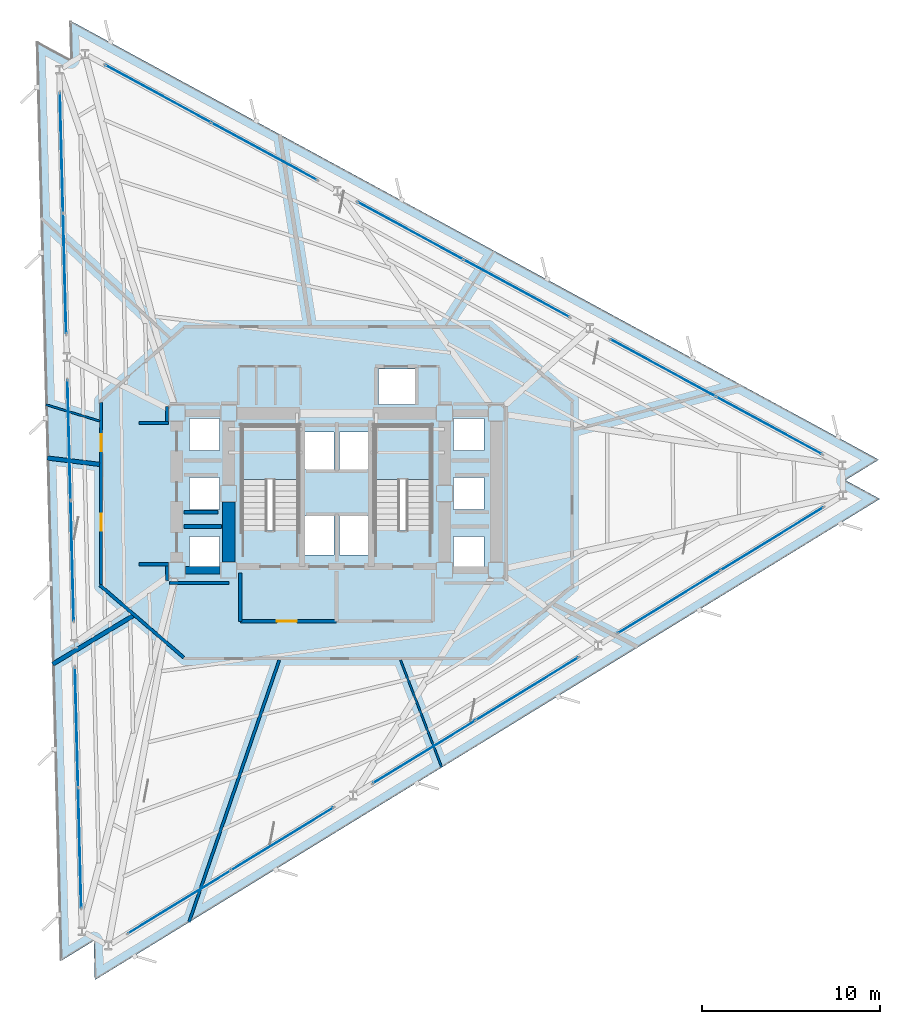
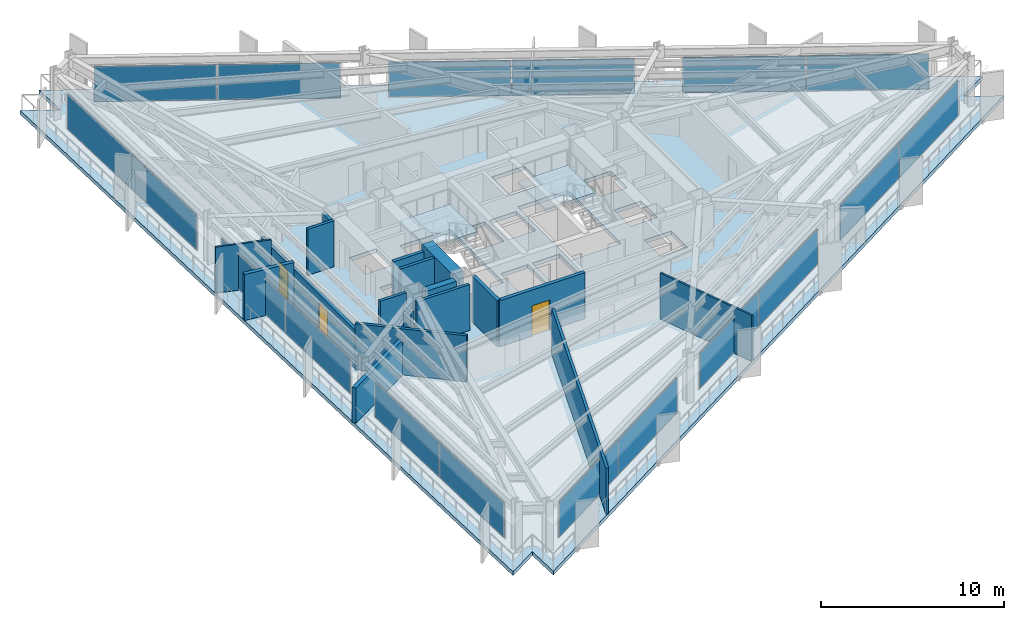
# One storey, part 7 of 14: 18 plates, 18 walls, 3 doors, 3 slabs, 3 openings, 11 elements without a shape of their own.
"""IFC4 building model written with IfcOpenShell, lengths in metres."""

from ifc_helpers import new_model, si_unit, direction, frame, frame_2d, origin, origin_2d, place, context, subcontext, project, spatial, polyline, rectangle, outline, extrude, material, layer, layer_set, type_object, element, fill, aggregate, save


model = new_model("IFC4")

# Units and contexts
model_context = context("Model", 3, precision=1e-05, world=origin(), true_north=direction((0.0, 1.0)))
body_context = subcontext(model_context, "Body", "Model", "MODEL_VIEW")
ifc_project = project(units=[si_unit("LENGTHUNIT", "METRE"), si_unit("AREAUNIT", "SQUARE_METRE"), si_unit("VOLUMEUNIT", "CUBIC_METRE"), si_unit("PLANEANGLEUNIT", "RADIAN"), si_unit("MASSUNIT", "GRAM", prefix="KILO")], contexts=[model_context])

# Site, building, storey
site_placement = place(None, origin())
site = spatial("IfcSite", under=ifc_project, at=site_placement, CompositionType="ELEMENT")
building_placement = place(site_placement, origin())
building = spatial("IfcBuilding", under=site, at=building_placement, Name="Rocaltana Carrier Exchange", CompositionType="ELEMENT")
storey_placement = place(building_placement, frame((0.0, 0.0, 28.9599609375)))
storey = spatial("IfcBuildingStorey", under=building, at=storey_placement, Name="L09", CompositionType="ELEMENT", Elevation=28.9599609375)

# Curtain wall, plates
ifc_material_1 = material(Name="Aluminium 6063-T6", Category="aluminium")
ifc_layer_1 = layer(ifc_material_1, 0.179931640625)
ifc_layer_set_1 = layer_set([ifc_layer_1], Name="Aluminium 6063-T6")
curtain_wall_type = type_object("IfcCurtainWallType", Name="Sandstone Spandrel Unitised Curtain Wall CW-01", PredefinedType="NOTDEFINED", material=ifc_layer_set_1)
curtain_wall_1_placement = place(storey_placement, origin())
curtain_wall_1 = element("IfcCurtainWall", 1, at=curtain_wall_1_placement, inside=storey, type_object=curtain_wall_type, Name="L09 CW-01 Run CW-L09-F1S1", PredefinedType="NOTDEFINED")
ifc_material_2 = material(Name="Tempered Laminated Glass", Category="glass")
ifc_layer_2 = layer(ifc_material_2, 0.0439453125)
ifc_layer_set_2 = layer_set([ifc_layer_2], Name="Tempered Laminated Glass")
plate_type = type_object("IfcPlateType", Name="CW-01 Stone-Insulated Vision Panel", PredefinedType="CURTAIN_PANEL", material=ifc_layer_set_2)
plate_1_placement = place(storey_placement, frame((24.23974609375, 3.8115234375, 0.06494140625), z_axis=(0.0, 0.0, 1.0), x_axis=(-0.878815639636, 0.477161473226, 0.0)))
plate_1 = element("IfcPlate", 2, at=plate_1_placement, type_object=plate_type, Name="CW-01 panel 1.1", PredefinedType="CURTAIN_PANEL", context=body_context, shape_type="SweptSolid", body=[
    extrude(rectangle(XDim=6.702392578125, YDim=0.0439453125, at=origin_2d()), origin(), (0.0, 0.0, 1.0), 2.347900390625),
])
plate_2_placement = place(storey_placement, frame((18.29248046875, 7.04052734375, 0.06494140625), z_axis=(0.0, 0.0, 1.0), x_axis=(-0.878815639636, 0.477161473226, 0.0)))
plate_2 = element("IfcPlate", 3, at=plate_2_placement, type_object=plate_type, Name="CW-01 panel 2.1", PredefinedType="CURTAIN_PANEL", context=body_context, shape_type="SweptSolid", body=[
    extrude(rectangle(XDim=6.702392578125, YDim=0.0439453125, at=origin_2d()), origin(), (0.0, 0.0, 1.0), 2.347900390625),
])
aggregate(curtain_wall_1, [plate_1, plate_2])

curtain_wall_2_placement = place(storey_placement, origin())
curtain_wall_2 = element("IfcCurtainWall", 4, at=curtain_wall_2_placement, inside=storey, type_object=curtain_wall_type, Name="L09 CW-01 Run CW-L09-F1S2", PredefinedType="NOTDEFINED")
plate_3_placement = place(storey_placement, frame((10.0908203125, 11.49365234375, 0.06494140625), z_axis=(0.0, 0.0, 1.0), x_axis=(-0.878814230428, 0.477164068636, 0.0)))
plate_3 = element("IfcPlate", 5, at=plate_3_placement, type_object=plate_type, Name="CW-01 panel 1.1", PredefinedType="CURTAIN_PANEL", context=body_context, shape_type="SweptSolid", body=[
    extrude(rectangle(XDim=6.70263671875, YDim=0.0439453125, at=origin_2d()), origin(), (0.0, 0.0, 1.0), 2.347900390625),
])
plate_4_placement = place(storey_placement, frame((4.1435546875, 14.722900390625, 0.06494140625), z_axis=(0.0, 0.0, 1.0), x_axis=(-0.878814230428, 0.477164068636, 0.0)))
plate_4 = element("IfcPlate", 6, at=plate_4_placement, type_object=plate_type, Name="CW-01 panel 2.1", PredefinedType="CURTAIN_PANEL", context=body_context, shape_type="SweptSolid", body=[
    extrude(rectangle(XDim=6.70263671875, YDim=0.0439453125, at=origin_2d()), origin(), (0.0, 0.0, 1.0), 2.347900390625),
])
aggregate(curtain_wall_2, [plate_3, plate_4])

curtain_wall_3_placement = place(storey_placement, origin())
curtain_wall_3 = element("IfcCurtainWall", 7, at=curtain_wall_3_placement, inside=storey, type_object=curtain_wall_type, Name="L09 CW-01 Run CW-L09-F1S3", PredefinedType="NOTDEFINED")
plate_5_placement = place(storey_placement, frame((-4.05810546875, 19.176025390625, 0.06494140625), z_axis=(0.0, 0.0, 1.0), x_axis=(-0.878818722982, 0.477155794406, 0.0)))
plate_5 = element("IfcPlate", 8, at=plate_5_placement, type_object=plate_type, Name="CW-01 panel 1.1", PredefinedType="CURTAIN_PANEL", context=body_context, shape_type="SweptSolid", body=[
    extrude(rectangle(XDim=6.702392578125, YDim=0.0439453125, at=origin_2d()), origin(), (0.0, 0.0, 1.0), 2.347900390625),
])
plate_6_placement = place(storey_placement, frame((-10.00537109375, 22.405029296875, 0.06494140625), z_axis=(0.0, 0.0, 1.0), x_axis=(-0.878818722982, 0.477155794406, 0.0)))
plate_6 = element("IfcPlate", 9, at=plate_6_placement, type_object=plate_type, Name="CW-01 panel 2.1", PredefinedType="CURTAIN_PANEL", context=body_context, shape_type="SweptSolid", body=[
    extrude(rectangle(XDim=6.702392578125, YDim=0.0439453125, at=origin_2d()), origin(), (0.0, 0.0, 1.0), 2.347900390625),
])
aggregate(curtain_wall_3, [plate_5, plate_6])

curtain_wall_4_placement = place(storey_placement, origin())
curtain_wall_4 = element("IfcCurtainWall", 10, at=curtain_wall_4_placement, inside=storey, type_object=curtain_wall_type, Name="L09 CW-01 Run CW-L09-F2S1", PredefinedType="NOTDEFINED")
plate_7_placement = place(storey_placement, frame((-15.420654296875, 19.086669921875, 0.06494140625), z_axis=(0.0, 0.0, 1.0), x_axis=(0.026183895077, -0.999657143044, 0.0)))
plate_7 = element("IfcPlate", 11, at=plate_7_placement, type_object=plate_type, Name="CW-01 panel 1.1", PredefinedType="CURTAIN_PANEL", context=body_context, shape_type="SweptSolid", body=[
    extrude(rectangle(XDim=6.702392578125, YDim=0.0439453125, at=origin_2d()), origin(), (0.0, 0.0, 1.0), 2.347900390625),
])
plate_8_placement = place(storey_placement, frame((-15.24365234375, 12.321533203125, 0.06494140625), z_axis=(0.0, 0.0, 1.0), x_axis=(0.026183895077, -0.999657143044, 0.0)))
plate_8 = element("IfcPlate", 12, at=plate_8_placement, type_object=plate_type, Name="CW-01 panel 2.1", PredefinedType="CURTAIN_PANEL", context=body_context, shape_type="SweptSolid", body=[
    extrude(rectangle(XDim=6.702392578125, YDim=0.0439453125, at=origin_2d()), origin(), (0.0, 0.0, 1.0), 2.347900390625),
])
aggregate(curtain_wall_4, [plate_7, plate_8])

curtain_wall_5_placement = place(storey_placement, origin())
curtain_wall_5 = element("IfcCurtainWall", 13, at=curtain_wall_5_placement, inside=storey, type_object=curtain_wall_type, Name="L09 CW-01 Run CW-L09-F2S2", PredefinedType="NOTDEFINED")
plate_9_placement = place(storey_placement, frame((-14.999267578125, 2.9921875, 0.06494140625), z_axis=(0.0, 0.0, 1.0), x_axis=(0.026176547142, -0.99965733548, 0.0)))
plate_9 = element("IfcPlate", 14, at=plate_9_placement, type_object=plate_type, Name="CW-01 panel 1.1", PredefinedType="CURTAIN_PANEL", context=body_context, shape_type="SweptSolid", body=[
    extrude(rectangle(XDim=6.702392578125, YDim=0.0439453125, at=origin_2d()), origin(), (0.0, 0.0, 1.0), 2.347900390625),
])
plate_10_placement = place(storey_placement, frame((-14.822021484375, -3.77294921875, 0.06494140625), z_axis=(0.0, 0.0, 1.0), x_axis=(0.026176547142, -0.99965733548, 0.0)))
plate_10 = element("IfcPlate", 15, at=plate_10_placement, type_object=plate_type, Name="CW-01 panel 2.1", PredefinedType="CURTAIN_PANEL", context=body_context, shape_type="SweptSolid", body=[
    extrude(rectangle(XDim=6.702392578125, YDim=0.0439453125, at=origin_2d()), origin(), (0.0, 0.0, 1.0), 2.347900390625),
])
aggregate(curtain_wall_5, [plate_9, plate_10])

curtain_wall_6_placement = place(storey_placement, origin())
curtain_wall_6 = element("IfcCurtainWall", 16, at=curtain_wall_6_placement, inside=storey, type_object=curtain_wall_type, Name="L09 CW-01 Run CW-L09-F2S3", PredefinedType="NOTDEFINED")
plate_11_placement = place(storey_placement, frame((-14.577880859375, -13.102294921875, 0.06494140625), z_axis=(0.0, 0.0, 1.0), x_axis=(0.026183895077, -0.999657143044, 0.0)))
plate_11 = element("IfcPlate", 17, at=plate_11_placement, type_object=plate_type, Name="CW-01 panel 1.1", PredefinedType="CURTAIN_PANEL", context=body_context, shape_type="SweptSolid", body=[
    extrude(rectangle(XDim=6.702392578125, YDim=0.0439453125, at=origin_2d()), origin(), (0.0, 0.0, 1.0), 2.347900390625),
])
plate_12_placement = place(storey_placement, frame((-14.400634765625, -19.867431640625, 0.06494140625), z_axis=(0.0, 0.0, 1.0), x_axis=(0.026183895077, -0.999657143044, 0.0)))
plate_12 = element("IfcPlate", 18, at=plate_12_placement, type_object=plate_type, Name="CW-01 panel 2.1", PredefinedType="CURTAIN_PANEL", context=body_context, shape_type="SweptSolid", body=[
    extrude(rectangle(XDim=6.702392578125, YDim=0.0439453125, at=origin_2d()), origin(), (0.0, 0.0, 1.0), 2.347900390625),
])
aggregate(curtain_wall_6, [plate_11, plate_12])

curtain_wall_7_placement = place(storey_placement, origin())
curtain_wall_7 = element("IfcCurtainWall", 19, at=curtain_wall_7_placement, inside=storey, type_object=curtain_wall_type, Name="L09 CW-01 Run CW-L09-F3S1", PredefinedType="NOTDEFINED")
plate_13_placement = place(storey_placement, frame((-8.819091796875, -22.898193359375, 0.06494140625), z_axis=(0.0, 0.0, 1.0), x_axis=(0.852636123996, 0.522505157925, 0.0)))
plate_13 = element("IfcPlate", 20, at=plate_13_placement, type_object=plate_type, Name="CW-01 panel 1.1", PredefinedType="CURTAIN_PANEL", context=body_context, shape_type="SweptSolid", body=[
    extrude(rectangle(XDim=6.70263671875, YDim=0.0439453125, at=origin_2d()), origin(), (0.0, 0.0, 1.0), 2.347900390625),
])
plate_14_placement = place(storey_placement, frame((-3.048828125, -19.362060546875, 0.06494140625), z_axis=(0.0, 0.0, 1.0), x_axis=(0.852636123996, 0.522505157925, 0.0)))
plate_14 = element("IfcPlate", 21, at=plate_14_placement, type_object=plate_type, Name="CW-01 panel 2.1", PredefinedType="CURTAIN_PANEL", context=body_context, shape_type="SweptSolid", body=[
    extrude(rectangle(XDim=6.70263671875, YDim=0.0439453125, at=origin_2d()), origin(), (0.0, 0.0, 1.0), 2.347900390625),
])
aggregate(curtain_wall_7, [plate_13, plate_14])

curtain_wall_8_placement = place(storey_placement, origin())
curtain_wall_8 = element("IfcCurtainWall", 22, at=curtain_wall_8_placement, inside=storey, type_object=curtain_wall_type, Name="L09 CW-01 Run CW-L09-F3S2", PredefinedType="NOTDEFINED")
plate_15_placement = place(storey_placement, frame((4.908447265625, -14.48583984375, 0.06494140625), z_axis=(0.0, 0.0, 1.0), x_axis=(0.852639399762, 0.522499812415, 0.0)))
plate_15 = element("IfcPlate", 23, at=plate_15_placement, type_object=plate_type, Name="CW-01 panel 1.1", PredefinedType="CURTAIN_PANEL", context=body_context, shape_type="SweptSolid", body=[
    extrude(rectangle(XDim=6.702392578125, YDim=0.0439453125, at=origin_2d()), origin(), (0.0, 0.0, 1.0), 2.347900390625),
])
plate_16_placement = place(storey_placement, frame((10.678466796875, -10.94970703125, 0.06494140625), z_axis=(0.0, 0.0, 1.0), x_axis=(0.852639399762, 0.522499812415, 0.0)))
plate_16 = element("IfcPlate", 24, at=plate_16_placement, type_object=plate_type, Name="CW-01 panel 2.1", PredefinedType="CURTAIN_PANEL", context=body_context, shape_type="SweptSolid", body=[
    extrude(rectangle(XDim=6.702392578125, YDim=0.0439453125, at=origin_2d()), origin(), (0.0, 0.0, 1.0), 2.347900390625),
])
aggregate(curtain_wall_8, [plate_15, plate_16])

curtain_wall_9_placement = place(storey_placement, origin())
curtain_wall_9 = element("IfcCurtainWall", 25, at=curtain_wall_9_placement, inside=storey, type_object=curtain_wall_type, Name="L09 CW-01 Run CW-L09-F3S3", PredefinedType="NOTDEFINED")
plate_17_placement = place(storey_placement, frame((18.6357421875, -6.07373046875, 0.06494140625), z_axis=(0.0, 0.0, 1.0), x_axis=(0.852639399762, 0.522499812415, 0.0)))
plate_17 = element("IfcPlate", 26, at=plate_17_placement, type_object=plate_type, Name="CW-01 panel 1.1", PredefinedType="CURTAIN_PANEL", context=body_context, shape_type="SweptSolid", body=[
    extrude(rectangle(XDim=6.702392578125, YDim=0.0439453125, at=origin_2d()), origin(), (0.0, 0.0, 1.0), 2.347900390625),
])
plate_18_placement = place(storey_placement, frame((24.406005859375, -2.53759765625, 0.06494140625), z_axis=(0.0, 0.0, 1.0), x_axis=(0.852639399762, 0.522499812415, 0.0)))
plate_18 = element("IfcPlate", 27, at=plate_18_placement, type_object=plate_type, Name="CW-01 panel 2.1", PredefinedType="CURTAIN_PANEL", context=body_context, shape_type="SweptSolid", body=[
    extrude(rectangle(XDim=6.702392578125, YDim=0.0439453125, at=origin_2d()), origin(), (0.0, 0.0, 1.0), 2.347900390625),
])
aggregate(curtain_wall_9, [plate_17, plate_18])

# Slab
ifc_material_3 = material(Name="Concrete C60/75", Category="concrete")
ifc_layer_3 = layer(ifc_material_3, 0.260009765625)
ifc_layer_set_3 = layer_set([ifc_layer_3], Name="Concrete C60/75")
slab_type_1 = type_object("IfcSlabType", Name="Low-Zone Tower Slab 260", PredefinedType="FLOOR", material=ifc_layer_set_3)
slab_1_placement = place(storey_placement, frame((0.0, 0.0, -0.260009765625)))
element("IfcSlab", 28, at=slab_1_placement, inside=storey, type_object=slab_type_1, Name="L09 Structural Floor Slab", PredefinedType="FLOOR", context=body_context, shape_type="SweptSolid", body=[
    extrude(outline(polyline([(30.444580078125, -0.30322265625), (28.51123046875, 0.74658203125), (30.38720703125, 1.89599609375), (-14.959716796875, 26.517578125), (-14.902099609375, 24.318115234375), (-16.835693359375, 25.367919921875), (-15.48486328125, -26.21435546875), (-13.609130859375, -25.064697265625), (-13.551513671875, -27.26416015625), (30.444580078125, -0.30322265625)]), holes=[polyline([(-5.300048828125, -2.06005859375), (-2.139892578125, -2.06005859375), (-2.139892578125, 3.800048828125), (-5.300048828125, 3.800048828125), (-5.300048828125, -2.06005859375)]), polyline([(2.139892578125, -2.06005859375), (5.300048828125, -2.06005859375), (5.300048828125, 3.800048828125), (2.139892578125, 3.800048828125), (2.139892578125, -2.06005859375)]), polyline([(-1.85009765625, -3.449951171875), (-0.14990234375, -3.449951171875), (-0.14990234375, -1.25), (-1.85009765625, -1.25), (-1.85009765625, -3.449951171875)]), polyline([(0.14990234375, -3.449951171875), (1.85009765625, -3.449951171875), (1.85009765625, -1.25), (0.14990234375, -1.25), (0.14990234375, -3.449951171875)]), polyline([(2.35009765625, 4.97998046875), (4.39990234375, 4.97998046875), (4.39990234375, 6.97998046875), (2.35009765625, 6.97998046875), (2.35009765625, 4.97998046875)]), polyline([(-1.85009765625, 1.35009765625), (-0.14990234375, 1.35009765625), (-0.14990234375, 3.449951171875), (-1.85009765625, 3.449951171875), (-1.85009765625, 1.35009765625)]), polyline([(0.14990234375, 1.35009765625), (1.85009765625, 1.35009765625), (1.85009765625, 3.449951171875), (0.14990234375, 3.449951171875), (0.14990234375, 1.35009765625)]), polyline([(-8.25, -4.199951171875), (-6.550048828125, -4.199951171875), (-6.550048828125, -2.39990234375), (-8.25, -2.39990234375), (-8.25, -4.199951171875)]), polyline([(-8.25, -0.89990234375), (-6.550048828125, -0.89990234375), (-6.550048828125, 0.89990234375), (-8.25, 0.89990234375), (-8.25, -0.89990234375)]), polyline([(-8.25, 2.39990234375), (-6.550048828125, 2.39990234375), (-6.550048828125, 4.199951171875), (-8.25, 4.199951171875), (-8.25, 2.39990234375)]), polyline([(6.550048828125, -4.199951171875), (8.25, -4.199951171875), (8.25, -2.39990234375), (6.550048828125, -2.39990234375), (6.550048828125, -4.199951171875)]), polyline([(6.550048828125, -0.89990234375), (8.25, -0.89990234375), (8.25, 0.89990234375), (6.550048828125, 0.89990234375), (6.550048828125, -0.89990234375)]), polyline([(6.550048828125, 2.39990234375), (8.25, 2.39990234375), (8.25, 4.199951171875), (6.550048828125, 4.199951171875), (6.550048828125, 2.39990234375)])]), origin(), (0.0, 0.0, 1.0), 0.260009765625),
])

# Stair, slab
ifc_material_4 = material(Name="Precast concrete C45/55", Category="concrete")
stair_type = type_object("IfcStairType", Name="Standard Dog-Leg Stair 160", PredefinedType="HALF_TURN_STAIR", material=ifc_material_4)
stair_1_placement = place(storey_placement, origin())
stair_1 = element("IfcStair", 29, at=stair_1_placement, inside=storey, type_object=stair_type, Name="L09 Core West Exit Stair ST-1", PredefinedType="HALF_TURN_STAIR")
ifc_material_5 = material(Name="Precast concrete C45/55", Category="concrete")
ifc_layer_4 = layer(ifc_material_5, 0.199951171875)
ifc_layer_set_4 = layer_set([ifc_layer_4], Name="Precast concrete C45/55")
slab_type_2 = type_object("IfcSlabType", Name="Precast Stair Half-Landing 200", PredefinedType="LANDING", material=ifc_layer_set_4)
slab_2_placement = place(storey_placement, frame((0.0, 0.0, 1.47998046875)))
slab_2 = element("IfcSlab", 30, at=slab_2_placement, type_object=slab_type_2, Name="ST-1 landing 1", PredefinedType="LANDING", context=body_context, shape_type="SweptSolid", body=[
    extrude(outline(polyline([(-2.139892578125, 0.780029296875), (-2.139892578125, 3.800048828125), (-5.300048828125, 3.800048828125), (-5.300048828125, 0.780029296875), (-2.139892578125, 0.780029296875)])), origin(), (0.0, 0.0, 1.0), 0.199951171875),
])
aggregate(stair_1, [slab_2])

stair_2_placement = place(storey_placement, origin())
stair_2 = element("IfcStair", 31, at=stair_2_placement, inside=storey, type_object=stair_type, Name="L09 Core East Exit Stair ST-2", PredefinedType="HALF_TURN_STAIR")
slab_3_placement = place(storey_placement, frame((0.0, 0.0, 1.47998046875)))
slab_3 = element("IfcSlab", 32, at=slab_3_placement, type_object=slab_type_2, Name="ST-2 landing 1", PredefinedType="LANDING", context=body_context, shape_type="SweptSolid", body=[
    extrude(outline(polyline([(5.300048828125, 0.780029296875), (5.300048828125, 3.800048828125), (2.139892578125, 3.800048828125), (2.139892578125, 0.780029296875), (5.300048828125, 0.780029296875)])), origin(), (0.0, 0.0, 1.0), 0.199951171875),
])
aggregate(stair_2, [slab_3])

# Walls
ifc_material_6 = material(Name="Double Acoustic Gypsum Partition", Category="gypsum")
ifc_layer_5 = layer(ifc_material_6, 0.159912109375)
ifc_layer_set_5 = layer_set([ifc_layer_5], Name="Double Acoustic Gypsum Partition")
wall_type_1 = type_object("IfcWallType", Name="Acoustic Studio Partition 160 EI60", PredefinedType="PARTITIONING", material=ifc_layer_set_5)
wall_1_placement = place(storey_placement, frame((-3.212646484375, -9.330078125, 0.0), z_axis=(0.0, 0.0, 1.0), x_axis=(-0.325559016245, -0.945521722089, 0.0)))
element("IfcWall", 33, at=wall_1_placement, inside=storey, type_object=wall_type_1, Name="L09 Suite Divider Wall D2", PredefinedType="PARTITIONING", context=body_context, shape_type="SweptSolid", body=[
    extrude(rectangle(XDim=15.531494140625, YDim=0.159912109375, at=frame_2d((7.765625, 0.0))), origin(), (0.0, 0.0, 1.0), 3.072998046875),
])
ifc_material_7 = material(Name="Concrete C50/60", Category="concrete")
ifc_layer_6 = layer(ifc_material_7, 0.39990234375)
ifc_layer_set_6 = layer_set([ifc_layer_6], Name="Concrete C50/60")
wall_type_2 = type_object("IfcWallType", Name="Core Internal Shear Wall 400", PredefinedType="SHEAR", material=ifc_layer_set_6)
wall_2_placement = place(storey_placement, frame((-8.47509765625, -4.300048828125, 0.0), z_axis=(0.0, 0.0, 1.0), x_axis=(1.0, 0.0, 0.0)))
element("IfcWall", 34, at=wall_2_placement, inside=storey, type_object=wall_type_2, Name="L09 Core Shear Wall CW-WWS", PredefinedType="SHEAR", context=body_context, shape_type="SweptSolid", body=[
    extrude(rectangle(XDim=1.9501953125, YDim=0.39990234375, at=frame_2d((0.97509765625, 0.0))), origin(), (0.0, 0.0, 1.0), 3.09814453125),
])
ifc_material_8 = material(Name="Concrete C60/75", Category="concrete")
ifc_layer_7 = layer(ifc_material_8, 0.699951171875)
ifc_layer_set_7 = layer_set([ifc_layer_7], Name="Concrete C60/75")
wall_type_3 = type_object("IfcWallType", Name="Core Shear Wall 700", PredefinedType="SHEAR", material=ifc_layer_set_7)
wall_3_placement = place(storey_placement, frame((-6.050048828125, -3.824951171875, 0.0), z_axis=(0.0, 0.0, 1.0), x_axis=(0.0, 1.0, 0.0)))
element("IfcWall", 35, at=wall_3_placement, inside=storey, type_object=wall_type_3, Name="L09 Core Shear Wall CW-WS", PredefinedType="SHEAR", context=body_context, shape_type="SweptSolid", body=[
    extrude(rectangle(XDim=3.349853515625, YDim=0.699951171875, at=frame_2d((1.6748046875, 0.0))), origin(), (0.0, 0.0, 1.0), 3.09814453125),
])
ifc_material_9 = material(Name="Gypsum & Steel Stud Partition", Category="steel")
ifc_layer_8 = layer(ifc_material_9, 0.179931640625)
ifc_layer_set_8 = layer_set([ifc_layer_8], Name="Gypsum & Steel Stud Partition")
wall_type_4 = type_object("IfcWallType", Name="Corridor Fire Partition 180 EI60", PredefinedType="PARTITIONING", material=ifc_layer_set_8)
wall_4_placement = place(storey_placement, frame((-8.568115234375, -9.191162109375, 0.0), z_axis=(0.0, 0.0, 1.0), x_axis=(-0.757556899173, 0.652769135694, 0.0)))
element("IfcWall", 36, at=wall_4_placement, inside=storey, type_object=wall_type_4, Name="L09 Corridor Partition 6", PredefinedType="PARTITIONING", context=body_context, shape_type="SweptSolid", body=[
    extrude(rectangle(XDim=6.204345703125, YDim=0.179931640625, at=frame_2d((3.10205078125, 0.0))), origin(), (0.0, 0.0, 1.0), 3.072998046875),
])

# Wall, openings, doors
wall_5_placement = place(storey_placement, frame((-13.199951171875, -5.110107421875, 0.0), z_axis=(0.0, 0.0, 1.0), x_axis=(0.0, 1.0, 0.0)))
wall_5 = element("IfcWall", 37, at=wall_5_placement, inside=storey, type_object=wall_type_4, Name="L09 Corridor Partition 7", PredefinedType="PARTITIONING", context=body_context, shape_type="SweptSolid", body=[
    extrude(rectangle(XDim=10.22021484375, YDim=0.179931640625, at=frame_2d((5.110107421875, 0.0))), origin(), (0.0, 0.0, 1.0), 2.587158203125),
])
opening_1_placement = place(wall_5_placement, frame((3.020263671875, 0.0, 0.0)))
opening_1 = element("IfcOpeningElement", 38, at=opening_1_placement, cuts=wall_5, Name="Opening D-RM098", PredefinedType="OPENING", context=body_context, shape_type="SweptSolid", body=[
    extrude(rectangle(XDim=0.9599609375, YDim=2.02001953125, at=frame_2d((0.47998046875, 1.010009765625))), frame((0.0, 0.099853515625, 0.0), z_axis=(0.0, -1.0, 0.0), x_axis=(1.0, 0.0, 0.0)), (0.0, 0.0, 1.0), 0.199951171875),
])
opening_2_placement = place(wall_5_placement, frame((7.474365234375, 0.0, 0.0)))
opening_2 = element("IfcOpeningElement", 39, at=opening_2_placement, cuts=wall_5, Name="Opening D-RM098", PredefinedType="OPENING", context=body_context, shape_type="SweptSolid", body=[
    extrude(rectangle(XDim=0.9599609375, YDim=2.02001953125, at=frame_2d((0.47998046875, 1.010009765625))), frame((0.0, 0.099853515625, 0.0), z_axis=(0.0, -1.0, 0.0), x_axis=(1.0, 0.0, 0.0)), (0.0, 0.0, 1.0), 0.199951171875),
])
ifc_material_10 = material(Name="Engineered Hardwood Timber", Category="wood")
door_type_1 = type_object("IfcDoorType", Name="Workspace Single Door 960x2020", OperationType="NOTDEFINED", PredefinedType="DOOR", material=ifc_material_10)
door_1_placement = place(opening_1_placement, origin())
door_1 = element("IfcDoor", 40, at=door_1_placement, inside=storey, type_object=door_type_1, Name="L09 Peering Conference Room Entrance Door", OperationType="SINGLE_SWING_RIGHT", OverallHeight=2.02001953125, OverallWidth=0.9599609375, PredefinedType="DOOR", context=body_context, shape_type="SweptSolid", body=[
    extrude(rectangle(XDim=0.9599609375, YDim=2.02001953125, at=frame_2d((0.47998046875, 1.010009765625))), frame((0.0, 0.02490234375, 0.0), z_axis=(0.0, -1.0, 0.0), x_axis=(1.0, 0.0, 0.0)), (0.0, 0.0, 1.0), 0.050048828125),
])
fill(opening_1, door_1)
door_2_placement = place(opening_2_placement, origin())
door_2 = element("IfcDoor", 41, at=door_2_placement, inside=storey, type_object=door_type_1, Name="L09 Cloud Architecture Office Entrance Door", OperationType="SINGLE_SWING_LEFT", OverallHeight=2.02001953125, OverallWidth=0.9599609375, PredefinedType="DOOR", context=body_context, shape_type="SweptSolid", body=[
    extrude(rectangle(XDim=0.9599609375, YDim=2.02001953125, at=frame_2d((0.47998046875, 1.010009765625))), frame((0.0, 0.02490234375, 0.0), z_axis=(0.0, -1.0, 0.0), x_axis=(1.0, 0.0, 0.0)), (0.0, 0.0, 1.0), 0.050048828125),
])
fill(opening_2, door_2)

# Walls
wall_6_placement = place(storey_placement, frame((-9.510009765625, 4.8701171875, 0.0), z_axis=(0.0, 0.0, 1.0), x_axis=(0.0, -1.0, 0.0)))
element("IfcWall", 42, at=wall_6_placement, inside=storey, type_object=wall_type_4, Name="L09 Corridor Partition 9", PredefinedType="PARTITIONING", context=body_context, shape_type="SweptSolid", body=[
    extrude(rectangle(XDim=0.820068359375, YDim=0.179931640625, at=frame_2d((0.41015625, 0.0))), origin(), (0.0, 0.0, 1.0), 3.072998046875),
])
for number, where, z_axis, x_axis, name in (
    (43, (-9.419921875, 3.9599609375, 0.0), (0.0, 0.0, 1.0), (-1.0, 0.0, 0.0), "L09 Corridor Partition 10"),
    (44, (-11.070068359375, -3.9599609375, 0.0), (0.0, 0.0, 1.0), (1.0, 0.0, 0.0), "L09 Corridor Partition 11"),
):
    element("IfcWall", number, at=place(storey_placement, frame(where, z_axis=z_axis, x_axis=x_axis)), inside=storey, type_object=wall_type_4, Name=name, PredefinedType="PARTITIONING", context=body_context, shape_type="SweptSolid", body=[
        extrude(rectangle(XDim=1.650146484375, YDim=0.179931640625, at=frame_2d((0.8251953125, 0.0))), origin(), (0.0, 0.0, 1.0), 3.072998046875),
    ])
wall_7_placement = place(storey_placement, frame((-9.510009765625, -4.050048828125, 0.0), z_axis=(0.0, 0.0, 1.0), x_axis=(0.0, -1.0, 0.0)))
element("IfcWall", 45, at=wall_7_placement, inside=storey, type_object=wall_type_4, Name="L09 Corridor Partition 12", PredefinedType="PARTITIONING", context=body_context, shape_type="SweptSolid", body=[
    extrude(rectangle(XDim=0.820068359375, YDim=0.179931640625, at=frame_2d((0.41015625, 0.0))), origin(), (0.0, 0.0, 1.0), 2.358154296875),
])
wall_8_placement = place(storey_placement, frame((-9.3701171875, -5.010009765625, 0.0), z_axis=(0.0, 0.0, 1.0), x_axis=(1.0, 0.0, 0.0)))
element("IfcWall", 46, at=wall_8_placement, inside=storey, type_object=wall_type_4, Name="L09 Corridor Partition 13", PredefinedType="PARTITIONING", context=body_context, shape_type="SweptSolid", body=[
    extrude(rectangle(XDim=3.340087890625, YDim=0.179931640625, at=frame_2d((1.669921875, 0.0))), origin(), (0.0, 0.0, 1.0), 3.072998046875),
])
ifc_material_11 = material(Name="Aluminium 6063-T6 & Acoustic Glass", Category="aluminium")
ifc_layer_9 = layer(ifc_material_11, 0.114990234375)
ifc_layer_set_9 = layer_set([ifc_layer_9], Name="Aluminium 6063-T6 & Acoustic Glass")
wall_type_5 = type_object("IfcWallType", Name="Demountable Glazed Lab Partition 115", PredefinedType="MOVABLE", material=ifc_layer_set_9)
wall_9_placement = place(storey_placement, frame((3.58154296875, -9.330078125, 0.0), z_axis=(0.0, 0.0, 1.0), x_axis=(0.358341066906, -0.933590745332, 0.0)))
element("IfcWall", 47, at=wall_9_placement, inside=storey, type_object=wall_type_5, Name="L09 Suite Divider Wall D3", PredefinedType="MOVABLE", context=body_context, shape_type="SweptSolid", body=[
    extrude(rectangle(XDim=6.43701171875, YDim=0.114990234375, at=frame_2d((3.218505859375, 0.0))), origin(), (0.0, 0.0, 1.0), 3.072998046875),
])
wall_10_placement = place(storey_placement, frame((-13.280029296875, 4.06005859375, 0.0), z_axis=(0.0, 0.0, 1.0), x_axis=(-0.956293781209, 0.292407599118, 0.0)))
element("IfcWall", 48, at=wall_10_placement, inside=storey, type_object=wall_type_5, Name="L09 Suite Divider Wall D9", PredefinedType="MOVABLE", context=body_context, shape_type="SweptSolid", body=[
    extrude(rectangle(XDim=3.1494140625, YDim=0.114990234375, at=frame_2d((1.57470703125, 0.0))), origin(), (0.0, 0.0, 1.0), 3.072998046875),
])
ifc_material_12 = material(Name="Autoclaved Aerated Concrete C30/37", Category="concrete")
ifc_layer_10 = layer(ifc_material_12, 0.219970703125)
ifc_layer_set_10 = layer_set([ifc_layer_10], Name="Autoclaved Aerated Concrete C30/37")
wall_type_6 = type_object("IfcWallType", Name="Firefighting Lobby Wall 220 EI120", PredefinedType="PARTITIONING", material=ifc_layer_set_10)
wall_11_placement = place(storey_placement, frame((-5.39990234375, -7.159912109375, 0.0), z_axis=(0.0, 0.0, 1.0), x_axis=(0.0, 1.0, 0.0)))
element("IfcWall", 49, at=wall_11_placement, inside=storey, type_object=wall_type_6, Name="L09 FFL Lobby 1 West Wall", PredefinedType="PARTITIONING", context=body_context, shape_type="SweptSolid", body=[
    extrude(rectangle(XDim=2.7099609375, YDim=0.219970703125, at=frame_2d((1.35498046875, 0.0))), origin(), (0.0, 0.0, 1.0), 3.072998046875),
])

# Wall, opening, door
wall_12_placement = place(storey_placement, frame((-5.39990234375, -7.159912109375, 0.0), z_axis=(0.0, 0.0, 1.0), x_axis=(1.0, 0.0, 0.0)))
wall_12 = element("IfcWall", 50, at=wall_12_placement, inside=storey, type_object=wall_type_6, Name="L09 FFL Lobby 1 South Wall", PredefinedType="PARTITIONING", context=body_context, shape_type="SweptSolid", body=[
    extrude(rectangle(XDim=5.39990234375, YDim=0.219970703125, at=frame_2d((2.699951171875, 0.0))), origin(), (0.0, 0.0, 1.0), 3.072998046875),
])
opening_3_placement = place(wall_12_placement, frame((2.050048828125, 0.0, 0.0)))
opening_3 = element("IfcOpeningElement", 51, at=opening_3_placement, cuts=wall_12, Name="Opening D-FF115", PredefinedType="OPENING", context=body_context, shape_type="SweptSolid", body=[
    extrude(rectangle(XDim=1.1201171875, YDim=2.02001953125, at=frame_2d((0.56005859375, 1.010009765625))), frame((0.0, 0.119873046875, 0.0), z_axis=(0.0, -1.0, 0.0), x_axis=(1.0, 0.0, 0.0)), (0.0, 0.0, 1.0), 0.239990234375),
])
ifc_material_13 = material(Name="Hollow Metal Fire Door Assembly", Category="steel")
door_type_2 = type_object("IfcDoorType", Name="Firefighting Lobby Door 1120x2020 FD60S", OperationType="NOTDEFINED", PredefinedType="DOOR", material=ifc_material_13)
door_3_placement = place(opening_3_placement, origin())
door_3 = element("IfcDoor", 52, at=door_3_placement, inside=storey, type_object=door_type_2, Name="L09 Firefighting Lift Lobby 1 Door", OperationType="SINGLE_SWING_RIGHT", OverallHeight=2.02001953125, OverallWidth=1.1201171875, PredefinedType="DOOR", context=body_context, shape_type="SweptSolid", body=[
    extrude(rectangle(XDim=1.1201171875, YDim=2.02001953125, at=frame_2d((0.56005859375, 1.010009765625))), frame((0.0, 0.02490234375, 0.0), z_axis=(0.0, -1.0, 0.0), x_axis=(1.0, 0.0, 0.0)), (0.0, 0.0, 1.0), 0.050048828125),
])
fill(opening_3, door_3)

# Walls
ifc_material_14 = material(Name="Acoustic Calcium Silicate Partition", Category="gypsum")
ifc_layer_11 = layer(ifc_material_14, 0.239990234375)
ifc_layer_set_11 = layer_set([ifc_layer_11], Name="Acoustic Calcium Silicate Partition")
wall_type_7 = type_object("IfcWallType", Name="Heavy Lab Partition 240 EI90", PredefinedType="PARTITIONING", material=ifc_layer_set_11)
wall_13_placement = place(storey_placement, frame((-11.40478515625, -6.8525390625, 0.0), z_axis=(0.0, 0.0, 1.0), x_axis=(-0.857148529273, -0.515069314524, 0.0)))
element("IfcWall", 53, at=wall_13_placement, inside=storey, type_object=wall_type_7, Name="L09 Suite Divider Wall D1", PredefinedType="PARTITIONING", context=body_context, shape_type="SweptSolid", body=[
    extrude(rectangle(XDim=5.257080078125, YDim=0.239990234375, at=frame_2d((2.62841796875, 0.0))), origin(), (0.0, 0.0, 1.0), 2.358154296875),
])
wall_14_placement = place(storey_placement, frame((-13.280029296875, 1.630615234375, 0.0), z_axis=(0.0, 0.0, 1.0), x_axis=(-0.992548714485, 0.121848468903, 0.0)))
element("IfcWall", 54, at=wall_14_placement, inside=storey, type_object=wall_type_7, Name="L09 Suite Divider Wall D10", PredefinedType="PARTITIONING", context=body_context, shape_type="SweptSolid", body=[
    extrude(rectangle(XDim=2.955322265625, YDim=0.239990234375, at=frame_2d((1.4775390625, 0.0))), origin(), (0.0, 0.0, 1.0), 3.072998046875),
])
ifc_material_15 = material(Name="Reinforced Concrete Block C35/45", Category="concrete")
ifc_layer_12 = layer(ifc_material_15, 0.199951171875)
ifc_layer_set_12 = layer_set([ifc_layer_12], Name="Reinforced Concrete Block C35/45")
wall_type_8 = type_object("IfcWallType", Name="Lift Hoistway Enclosure Wall 200 EI120", PredefinedType="PARTITIONING", material=ifc_layer_set_12)
wall_15_placement = place(storey_placement, frame((-8.550048828125, -1.85009765625, 0.0), z_axis=(0.0, 0.0, 1.0), x_axis=(1.0, 0.0, 0.0)))
element("IfcWall", 55, at=wall_15_placement, inside=storey, type_object=wall_type_8, Name="L09 Low-Rise Shaft Divider 1", PredefinedType="PARTITIONING", context=body_context, shape_type="SweptSolid", body=[
    extrude(rectangle(XDim=2.10009765625, YDim=0.199951171875, at=frame_2d((1.050048828125, 0.0))), origin(), (0.0, 0.0, 1.0), 3.072998046875),
])
wall_16_placement = place(storey_placement, frame((-8.550048828125, -1.050048828125, 0.0), z_axis=(0.0, 0.0, 1.0), x_axis=(1.0, 0.0, 0.0)))
element("IfcWall", 56, at=wall_16_placement, inside=storey, type_object=wall_type_8, Name="L09 Low-Rise Center Shaft Wall South", PredefinedType="PARTITIONING", context=body_context, shape_type="SweptSolid", body=[
    extrude(rectangle(XDim=1.91015625, YDim=0.199951171875, at=frame_2d((0.955078125, 0.0))), origin(), (0.0, 0.0, 1.0), 3.072998046875),
])

save(model, "model.ifc")
